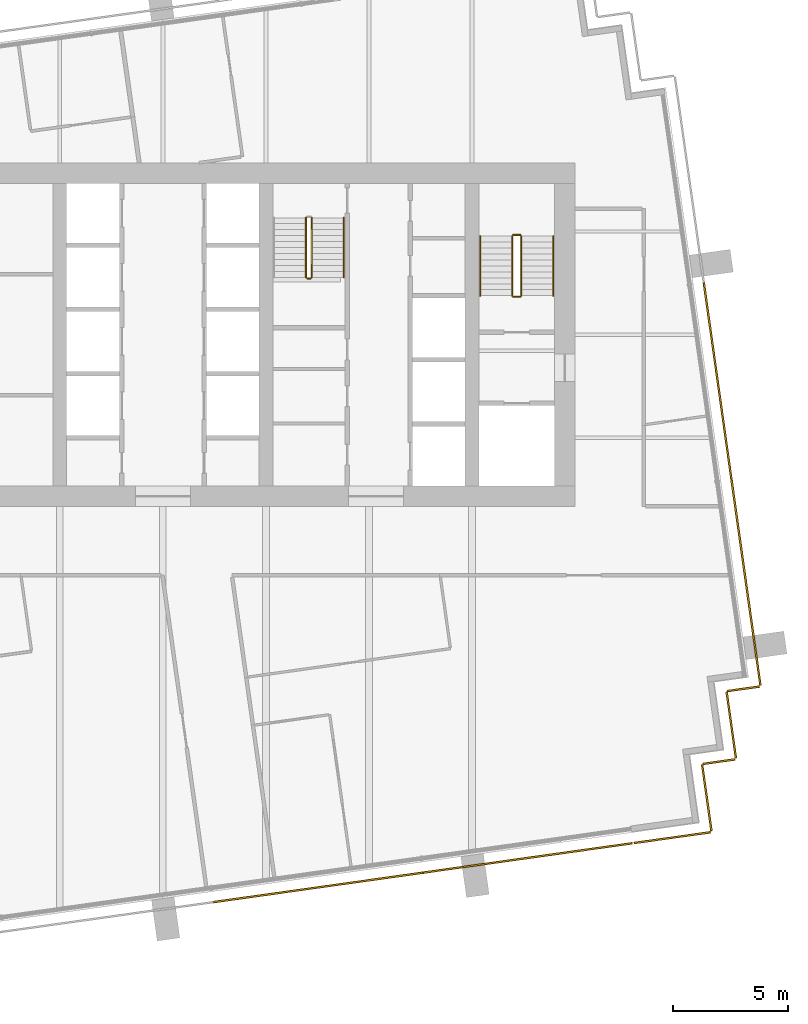
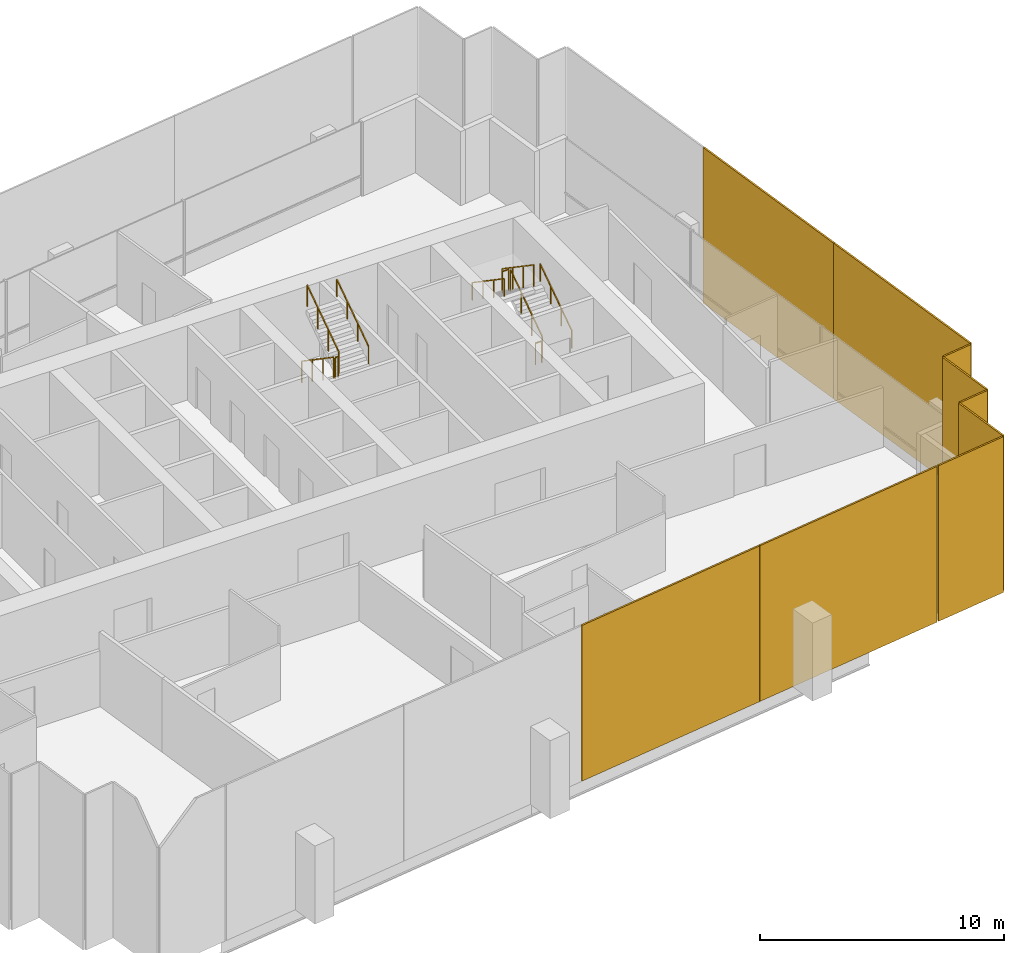
# One storey, part 13 of 15: 10 railings, 9 coverings.
"""IFC4 building model written with IfcOpenShell, lengths in metres."""

from ifc_helpers import new_model, si_unit, direction, frame, origin, origin_2d, place, context, subcontext, project, spatial, rectangle, extrude, material, layer, layer_set, type_object, element, save


model = new_model("IFC4")

# Units and contexts
model_context = context("Model", 3, precision=1e-05, world=origin(), true_north=direction((0.0, 1.0)))
body_context = subcontext(model_context, "Body", "Model", "MODEL_VIEW")
ifc_project = project(units=[si_unit("LENGTHUNIT", "METRE"), si_unit("AREAUNIT", "SQUARE_METRE"), si_unit("VOLUMEUNIT", "CUBIC_METRE"), si_unit("PLANEANGLEUNIT", "RADIAN"), si_unit("MASSUNIT", "GRAM", prefix="KILO")], contexts=[model_context])

# Site, building, storey
site_placement = place(None, origin())
site = spatial("IfcSite", under=ifc_project, at=site_placement, CompositionType="ELEMENT")
building_placement = place(site_placement, origin())
building = spatial("IfcBuilding", under=site, at=building_placement, Name="Rattan Terrace Tower", CompositionType="ELEMENT")
storey_placement = place(building_placement, frame((0.0, 0.0, 278.5)))
storey = spatial("IfcBuildingStorey", under=building, at=storey_placement, Name="L64", CompositionType="ELEMENT", Elevation=278.5)

# Railings
ifc_material_1 = material(Name="Powder-coated steel guard", Category="steel")
railing_type_1 = type_object("IfcRailingType", Name="Core stair guard", PredefinedType="GUARDRAIL", material=ifc_material_1)
railing_1_placement = place(storey_placement, frame((15.64990234375, 1.699951171875, 0.17724609375)))
element("IfcRailing", 1, at=railing_1_placement, inside=storey, type_object=railing_type_1, Name="L64 S2 stair guard 1", PredefinedType="GUARDRAIL", context=body_context, shape_type="SweptSolid", body=[
    extrude(rectangle(XDim=0.048095703125, YDim=0.048095703125, at=origin_2d()), frame((0.0, 0.0, 1.076171875), z_axis=(0.0, 0.826240473404, 0.563317565952), x_axis=(-1.0, 0.0, 0.0)), (0.0, 0.0, 1.0), 3.14697265625),
    extrude(rectangle(XDim=0.0419921875, YDim=0.0419921875, at=origin_2d()), origin(), (0.0, 0.0, 1.0), 1.052001953125),
    extrude(rectangle(XDim=0.0419921875, YDim=0.0419921875, at=origin_2d()), frame((0.0, 0.86669921875, 0.5908203125)), (0.0, 0.0, 1.0), 1.052001953125),
    extrude(rectangle(XDim=0.0419921875, YDim=0.0419921875, at=origin_2d()), frame((0.0, 1.7333984375, 1.181884765625)), (0.0, 0.0, 1.0), 1.052001953125),
    extrude(rectangle(XDim=0.0419921875, YDim=0.0419921875, at=origin_2d()), frame((0.0, 2.60009765625, 1.772705078125)), (0.0, 0.0, 1.0), 1.052001953125),
])
railing_2_placement = place(storey_placement, frame((15.60009765625, 4.35009765625, 1.949951171875)))
element("IfcRailing", 2, at=railing_2_placement, inside=storey, type_object=railing_type_1, Name="L64 S2 stair guard 2", PredefinedType="GUARDRAIL", context=body_context, shape_type="SweptSolid", body=[
    extrude(rectangle(XDim=0.048095703125, YDim=0.048095703125, at=origin_2d()), frame((0.0, 0.0, 1.076171875), z_axis=(-1.0, 0.0, 0.0), x_axis=(0.0, -1.0, 0.0)), (0.0, 0.0, 1.0), 0.300048828125),
    extrude(rectangle(XDim=0.0419921875, YDim=0.0419921875, at=origin_2d()), origin(), (0.0, 0.0, 1.0), 1.052001953125),
    extrude(rectangle(XDim=0.0419921875, YDim=0.0419921875, at=origin_2d()), frame((-0.300048828125, 0.0, 0.0)), (0.0, 0.0, 1.0), 1.052001953125),
])
railing_3_placement = place(storey_placement, frame((15.25, 4.300048828125, 2.127197265625)))
element("IfcRailing", 3, at=railing_3_placement, inside=storey, type_object=railing_type_1, Name="L64 S2 stair guard 3", PredefinedType="GUARDRAIL", context=body_context, shape_type="SweptSolid", body=[
    extrude(rectangle(XDim=0.048095703125, YDim=0.048095703125, at=origin_2d()), frame((0.0, 0.0, 1.076171875), z_axis=(0.0, -0.826240473404, 0.563317565952), x_axis=(1.0, 0.0, 0.0)), (0.0, 0.0, 1.0), 3.14697265625),
    extrude(rectangle(XDim=0.0419921875, YDim=0.0419921875, at=origin_2d()), origin(), (0.0, 0.0, 1.0), 1.052001953125),
    extrude(rectangle(XDim=0.0419921875, YDim=0.0419921875, at=origin_2d()), frame((0.0, -0.86669921875, 0.5908203125)), (0.0, 0.0, 1.0), 1.052001953125),
    extrude(rectangle(XDim=0.0419921875, YDim=0.0419921875, at=origin_2d()), frame((0.0, -1.7333984375, 1.181884765625)), (0.0, 0.0, 1.0), 1.052001953125),
    extrude(rectangle(XDim=0.0419921875, YDim=0.0419921875, at=origin_2d()), frame((0.0, -2.60009765625, 1.772705078125)), (0.0, 0.0, 1.0), 1.052001953125),
])
railing_4_placement = place(storey_placement, frame((15.60009765625, 1.64990234375, 0.0)))
element("IfcRailing", 4, at=railing_4_placement, inside=storey, type_object=railing_type_1, Name="L64 S2 stair guard 4", PredefinedType="GUARDRAIL", context=body_context, shape_type="SweptSolid", body=[
    extrude(rectangle(XDim=0.048095703125, YDim=0.048095703125, at=origin_2d()), frame((0.0, 0.0, 1.076171875), z_axis=(-1.0, 0.0, 0.0), x_axis=(0.0, -1.0, 0.0)), (0.0, 0.0, 1.0), 0.300048828125),
    extrude(rectangle(XDim=0.0419921875, YDim=0.0419921875, at=origin_2d()), origin(), (0.0, 0.0, 1.0), 1.052001953125),
    extrude(rectangle(XDim=0.0419921875, YDim=0.0419921875, at=origin_2d()), frame((-0.300048828125, 0.0, 0.0)), (0.0, 0.0, 1.0), 1.052001953125),
])
railing_5_placement = place(storey_placement, frame((6.25, 5.10009765625, 0.17724609375)))
element("IfcRailing", 5, at=railing_5_placement, inside=storey, type_object=railing_type_1, Name="L64 S3 stair guard 1", PredefinedType="GUARDRAIL", context=body_context, shape_type="SweptSolid", body=[
    extrude(rectangle(XDim=0.048095703125, YDim=0.048095703125, at=origin_2d()), frame((0.0, 0.0, 1.076171875), z_axis=(0.0, -0.826240473404, 0.563317565952), x_axis=(1.0, 0.0, 0.0)), (0.0, 0.0, 1.0), 3.14697265625),
    extrude(rectangle(XDim=0.0419921875, YDim=0.0419921875, at=origin_2d()), origin(), (0.0, 0.0, 1.0), 1.052001953125),
    extrude(rectangle(XDim=0.0419921875, YDim=0.0419921875, at=origin_2d()), frame((0.0, -0.86669921875, 0.5908203125)), (0.0, 0.0, 1.0), 1.052001953125),
    extrude(rectangle(XDim=0.0419921875, YDim=0.0419921875, at=origin_2d()), frame((0.0, -1.7333984375, 1.181884765625)), (0.0, 0.0, 1.0), 1.052001953125),
    extrude(rectangle(XDim=0.0419921875, YDim=0.0419921875, at=origin_2d()), frame((0.0, -2.60009765625, 1.772705078125)), (0.0, 0.0, 1.0), 1.052001953125),
])
railing_6_placement = place(storey_placement, frame((6.300048828125, 2.449951171875, 1.949951171875)))
element("IfcRailing", 6, at=railing_6_placement, inside=storey, type_object=railing_type_1, Name="L64 S3 stair guard 2", PredefinedType="GUARDRAIL", context=body_context, shape_type="SweptSolid", body=[
    extrude(rectangle(XDim=0.048095703125, YDim=0.048095703125, at=origin_2d()), frame((0.0, 0.0, 1.076171875), z_axis=(1.0, 0.0, 0.0), x_axis=(0.0, 1.0, 0.0)), (0.0, 0.0, 1.0), 0.14990234375),
    extrude(rectangle(XDim=0.0419921875, YDim=0.0419921875, at=origin_2d()), origin(), (0.0, 0.0, 1.0), 1.052001953125),
    extrude(rectangle(XDim=0.0419921875, YDim=0.0419921875, at=origin_2d()), frame((0.14990234375, 0.0, 0.0)), (0.0, 0.0, 1.0), 1.052001953125),
])
railing_7_placement = place(storey_placement, frame((6.5, 2.5, 2.127197265625)))
element("IfcRailing", 7, at=railing_7_placement, inside=storey, type_object=railing_type_1, Name="L64 S3 stair guard 3", PredefinedType="GUARDRAIL", context=body_context, shape_type="SweptSolid", body=[
    extrude(rectangle(XDim=0.048095703125, YDim=0.048095703125, at=origin_2d()), frame((0.0, 0.0, 1.076171875), z_axis=(0.0, 0.826240473404, 0.563317565952), x_axis=(-1.0, 0.0, 0.0)), (0.0, 0.0, 1.0), 3.14697265625),
    extrude(rectangle(XDim=0.0419921875, YDim=0.0419921875, at=origin_2d()), origin(), (0.0, 0.0, 1.0), 1.052001953125),
    extrude(rectangle(XDim=0.0419921875, YDim=0.0419921875, at=origin_2d()), frame((0.0, 0.86669921875, 0.5908203125)), (0.0, 0.0, 1.0), 1.052001953125),
    extrude(rectangle(XDim=0.0419921875, YDim=0.0419921875, at=origin_2d()), frame((0.0, 1.7333984375, 1.181884765625)), (0.0, 0.0, 1.0), 1.052001953125),
    extrude(rectangle(XDim=0.0419921875, YDim=0.0419921875, at=origin_2d()), frame((0.0, 2.60009765625, 1.772705078125)), (0.0, 0.0, 1.0), 1.052001953125),
])
ifc_material_2 = material(Name="Powder-coated steel handrail", Category="steel")
railing_type_2 = type_object("IfcRailingType", Name="Core stair handrail", PredefinedType="HANDRAIL", material=ifc_material_2)
railing_8_placement = place(storey_placement, frame((17.050048828125, 1.699951171875, 0.17724609375)))
element("IfcRailing", 8, at=railing_8_placement, inside=storey, type_object=railing_type_2, Name="L64 S2 stair handrail 1", PredefinedType="HANDRAIL", context=body_context, shape_type="SweptSolid", body=[
    extrude(rectangle(XDim=0.048095703125, YDim=0.048095703125, at=origin_2d()), frame((0.0, 0.0, 0.8759765625), z_axis=(0.0, 0.826240473404, 0.563317565952), x_axis=(-1.0, 0.0, 0.0)), (0.0, 0.0, 1.0), 3.14697265625),
    extrude(rectangle(XDim=0.0419921875, YDim=0.0419921875, at=origin_2d()), origin(), (0.0, 0.0, 1.0), 0.851806640625),
    extrude(rectangle(XDim=0.0419921875, YDim=0.0419921875, at=origin_2d()), frame((0.0, 0.86669921875, 0.5908203125)), (0.0, 0.0, 1.0), 0.851806640625),
    extrude(rectangle(XDim=0.0419921875, YDim=0.0419921875, at=origin_2d()), frame((0.0, 1.7333984375, 1.181884765625)), (0.0, 0.0, 1.0), 0.851806640625),
    extrude(rectangle(XDim=0.0419921875, YDim=0.0419921875, at=origin_2d()), frame((0.0, 2.60009765625, 1.772705078125)), (0.0, 0.0, 1.0), 0.851806640625),
])
railing_9_placement = place(storey_placement, frame((13.85009765625, 4.300048828125, 2.127197265625)))
element("IfcRailing", 9, at=railing_9_placement, inside=storey, type_object=railing_type_2, Name="L64 S2 stair handrail 2", PredefinedType="HANDRAIL", context=body_context, shape_type="SweptSolid", body=[
    extrude(rectangle(XDim=0.048095703125, YDim=0.048095703125, at=origin_2d()), frame((0.0, 0.0, 0.8759765625), z_axis=(0.0, -0.826240473404, 0.563317565952), x_axis=(1.0, 0.0, 0.0)), (0.0, 0.0, 1.0), 3.14697265625),
    extrude(rectangle(XDim=0.0419921875, YDim=0.0419921875, at=origin_2d()), origin(), (0.0, 0.0, 1.0), 0.851806640625),
    extrude(rectangle(XDim=0.0419921875, YDim=0.0419921875, at=origin_2d()), frame((0.0, -0.86669921875, 0.5908203125)), (0.0, 0.0, 1.0), 0.851806640625),
    extrude(rectangle(XDim=0.0419921875, YDim=0.0419921875, at=origin_2d()), frame((0.0, -1.7333984375, 1.181884765625)), (0.0, 0.0, 1.0), 0.851806640625),
    extrude(rectangle(XDim=0.0419921875, YDim=0.0419921875, at=origin_2d()), frame((0.0, -2.60009765625, 1.772705078125)), (0.0, 0.0, 1.0), 0.851806640625),
])
railing_10_placement = place(storey_placement, frame((7.89990234375, 2.5, 2.127197265625)))
element("IfcRailing", 10, at=railing_10_placement, inside=storey, type_object=railing_type_2, Name="L64 S3 stair handrail 2", PredefinedType="HANDRAIL", context=body_context, shape_type="SweptSolid", body=[
    extrude(rectangle(XDim=0.048095703125, YDim=0.048095703125, at=origin_2d()), frame((0.0, 0.0, 0.8759765625), z_axis=(0.0, 0.826240473404, 0.563317565952), x_axis=(-1.0, 0.0, 0.0)), (0.0, 0.0, 1.0), 3.14697265625),
    extrude(rectangle(XDim=0.0419921875, YDim=0.0419921875, at=origin_2d()), origin(), (0.0, 0.0, 1.0), 0.851806640625),
    extrude(rectangle(XDim=0.0419921875, YDim=0.0419921875, at=origin_2d()), frame((0.0, 0.86669921875, 0.5908203125)), (0.0, 0.0, 1.0), 0.851806640625),
    extrude(rectangle(XDim=0.0419921875, YDim=0.0419921875, at=origin_2d()), frame((0.0, 1.7333984375, 1.181884765625)), (0.0, 0.0, 1.0), 0.851806640625),
    extrude(rectangle(XDim=0.0419921875, YDim=0.0419921875, at=origin_2d()), frame((0.0, 2.60009765625, 1.772705078125)), (0.0, 0.0, 1.0), 0.851806640625),
])

# Coverings
ifc_material_3 = material(Name="Perforated terracotta", Category="masonry")
ifc_layer = layer(ifc_material_3, 0.080078125)
ifc_layer_set = layer_set([ifc_layer], Name="Facade Terracotta Screen Panel HZ")
covering_type = type_object("IfcCoveringType", Name="Facade Terracotta Screen Panel HZ", PredefinedType="CLADDING", material=ifc_layer_set)
covering_1_placement = place(storey_placement, frame((22.236328125, -21.955810546875, -0.18994140625), z_axis=(0.0, 0.0, 1.0), x_axis=(0.990293172258, 0.138994363123, 0.0)))
element("IfcCovering", 11, at=covering_1_placement, inside=storey, type_object=covering_type, Name="OUTER SKIN panel L64-1", PredefinedType="CLADDING", context=body_context, shape_type="SweptSolid", body=[
    extrude(rectangle(XDim=3.3701171875, YDim=0.080078125, at=origin_2d()), origin(), (0.0, 0.0, 1.0), 7.780029296875),
])
covering_2_placement = place(storey_placement, frame((23.74462890625, -20.218994140625, -0.18994140625), z_axis=(0.0, 0.0, 1.0), x_axis=(-0.138994363123, 0.990293172258, 0.0)))
element("IfcCovering", 12, at=covering_2_placement, inside=storey, type_object=covering_type, Name="OUTER SKIN panel L64-2", PredefinedType="CLADDING", context=body_context, shape_type="SweptSolid", body=[
    extrude(rectangle(XDim=2.92041015625, YDim=0.080078125, at=origin_2d()), origin(), (0.0, 0.0, 1.0), 7.780029296875),
])
covering_3_placement = place(storey_placement, frame((24.27001953125, -18.640380859375, -0.18994140625), z_axis=(0.0, 0.0, 1.0), x_axis=(0.990240767803, 0.139367219175, 0.0)))
element("IfcCovering", 13, at=covering_3_placement, inside=storey, type_object=covering_type, Name="OUTER SKIN panel L64-3", PredefinedType="CLADDING", context=body_context, shape_type="SweptSolid", body=[
    extrude(rectangle(XDim=1.419921875, YDim=0.080078125, at=origin_2d()), origin(), (0.0, 0.0, 1.0), 7.780029296875),
])
covering_4_placement = place(storey_placement, frame((24.812255859375, -17.03955078125, -0.18994140625), z_axis=(0.0, 0.0, 1.0), x_axis=(-0.139367219175, 0.990240767803, 0.0)))
element("IfcCovering", 14, at=covering_4_placement, inside=storey, type_object=covering_type, Name="OUTER SKIN panel L64-4", PredefinedType="CLADDING", context=body_context, shape_type="SweptSolid", body=[
    extrude(rectangle(XDim=2.919189453125, YDim=0.080078125, at=origin_2d()), origin(), (0.0, 0.0, 1.0), 7.780029296875),
])
covering_5_placement = place(storey_placement, frame((25.337646484375, -15.46142578125, -0.18994140625), z_axis=(0.0, 0.0, 1.0), x_axis=(0.99025370695, 0.139275252184, 0.0)))
element("IfcCovering", 15, at=covering_5_placement, inside=storey, type_object=covering_type, Name="OUTER SKIN panel L64-5", PredefinedType="CLADDING", context=body_context, shape_type="SweptSolid", body=[
    extrude(rectangle(XDim=1.420654296875, YDim=0.080078125, at=origin_2d()), origin(), (0.0, 0.0, 1.0), 7.780029296875),
])
covering_6_placement = place(storey_placement, frame((25.45263671875, -10.816650390625, -0.18994140625), z_axis=(0.0, 0.0, 1.0), x_axis=(-0.139191775431, 0.990265444036, 0.0)))
element("IfcCovering", 16, at=covering_6_placement, inside=storey, type_object=covering_type, Name="OUTER SKIN panel L64-6", PredefinedType="CLADDING", context=body_context, shape_type="SweptSolid", body=[
    extrude(rectangle(XDim=9.06689453125, YDim=0.080078125, at=origin_2d()), origin(), (0.0, 0.0, 1.0), 7.780029296875),
])
covering_7_placement = place(storey_placement, frame((24.217041015625, -2.026123046875, -0.18994140625), z_axis=(0.0, 0.0, 1.0), x_axis=(-0.139191775431, 0.990265444036, 0.0)))
element("IfcCovering", 17, at=covering_7_placement, inside=storey, type_object=covering_type, Name="OUTER SKIN panel L64-7", PredefinedType="CLADDING", context=body_context, shape_type="SweptSolid", body=[
    extrude(rectangle(XDim=8.64697265625, YDim=0.080078125, at=origin_2d()), origin(), (0.0, 0.0, 1.0), 7.780029296875),
])
covering_8_placement = place(storey_placement, frame((6.785400390625, -24.127197265625, -0.18994140625), z_axis=(0.0, 0.0, 1.0), x_axis=(0.990265894013, 0.139188574079, 0.0)))
element("IfcCovering", 18, at=covering_8_placement, inside=storey, type_object=covering_type, Name="OUTER SKIN panel L64-33", PredefinedType="CLADDING", context=body_context, shape_type="SweptSolid", body=[
    extrude(rectangle(XDim=9.22900390625, YDim=0.080078125, at=origin_2d()), origin(), (0.0, 0.0, 1.0), 7.780029296875),
])
covering_9_placement = place(storey_placement, frame((15.931640625, -22.841552734375, -0.18994140625), z_axis=(0.0, 0.0, 1.0), x_axis=(0.990265894013, 0.139188574079, 0.0)))
element("IfcCovering", 19, at=covering_9_placement, inside=storey, type_object=covering_type, Name="OUTER SKIN panel L64-34", PredefinedType="CLADDING", context=body_context, shape_type="SweptSolid", body=[
    extrude(rectangle(XDim=9.203125, YDim=0.080078125, at=origin_2d()), origin(), (0.0, 0.0, 1.0), 7.780029296875),
])

save(model, "model.ifc")
